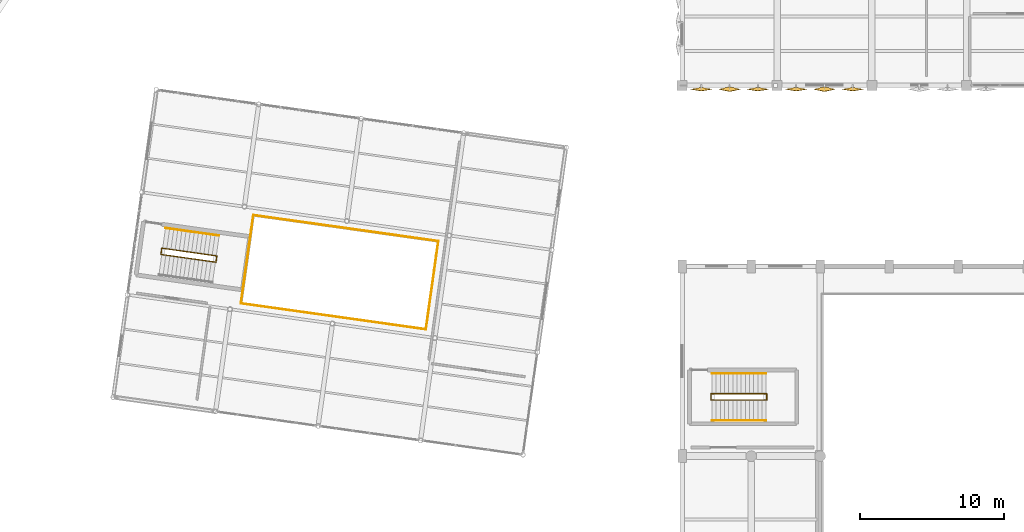
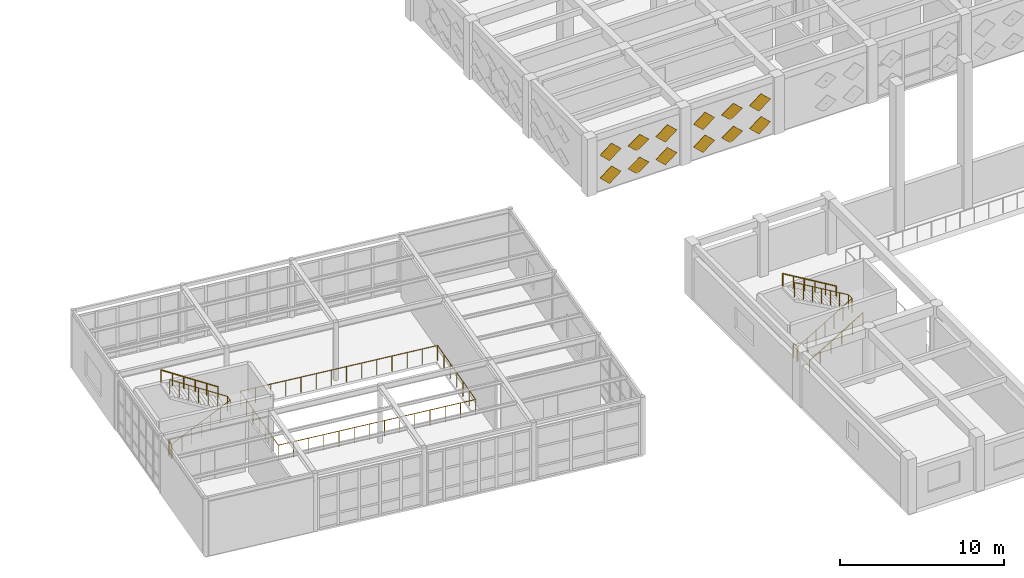
# One storey, part 78 of 80: 12 coverings, 9 railings.
"""IFC4 building model written with IfcOpenShell, lengths in metres."""

from ifc_helpers import new_model, si_unit, direction, frame, origin, origin_2d, place, context, subcontext, project, spatial, polyline, circle, outline, extrude, material, type_object, element, save


model = new_model("IFC4")

# Units and contexts
model_context = context("Model", 3, precision=1e-05, world=origin(), true_north=direction((0.0, 1.0)))
body_context = subcontext(model_context, "Body", "Model", "MODEL_VIEW")
ifc_project = project(units=[si_unit("LENGTHUNIT", "METRE"), si_unit("AREAUNIT", "SQUARE_METRE"), si_unit("VOLUMEUNIT", "CUBIC_METRE"), si_unit("PLANEANGLEUNIT", "RADIAN"), si_unit("MASSUNIT", "GRAM", prefix="KILO")], contexts=[model_context])

# Site, building, storey
site_placement = place(None, origin())
site = spatial("IfcSite", under=ifc_project, at=site_placement, CompositionType="ELEMENT")
building_placement = place(site_placement, origin())
building = spatial("IfcBuilding", under=site, at=building_placement, Name="Kharisveld Research Institute", CompositionType="ELEMENT")
storey_placement = place(building_placement, frame((0.0, 0.0, 5.10009765625)))
storey = spatial("IfcBuildingStorey", under=building, at=storey_placement, Name="L01", CompositionType="ELEMENT", Elevation=5.10009765625)

# Railings
ifc_material_1 = material(Name="Laminated Glass and Stainless Steel", Category="steel")
railing_type_1 = type_object("IfcRailingType", Name="RL_BAL_ATR", PredefinedType="BALUSTRADE", material=ifc_material_1)
railing_1_placement = place(storey_placement, frame((83.894775390625, 24.025634765625, 0.0)))
element("IfcRailing", 1, at=railing_1_placement, inside=storey, type_object=railing_type_1, Name="RLG:V4:L01:ATRIUM_A", PredefinedType="BALUSTRADE", context=body_context, shape_type="SweptSolid", body=[
    extrude(circle(Radius=0.02392578125, at=origin_2d()), frame((0.0, 0.0, 1.1259765625), z_axis=(0.990267339401, -0.139178290391, 0.0), x_axis=(0.139178290391, 0.990267339401, 0.0)), (0.0, 0.0, 1.0), 13.0),
    extrude(circle(Radius=0.02392578125, at=origin_2d()), frame((12.87353515625, -1.809326171875, 1.1259765625), z_axis=(0.139160708979, 0.990269810242, 0.0), x_axis=(-0.990269810242, 0.139160708979, 0.0)), (0.0, 0.0, 1.0), 6.199951171875),
    extrude(circle(Radius=0.02099609375, at=origin_2d()), origin(), (0.0, 0.0, 1.0), 1.101806640625),
    extrude(circle(Radius=0.02099609375, at=origin_2d()), frame((0.990234375, -0.13916015625, 0.0)), (0.0, 0.0, 1.0), 1.101806640625),
    extrude(circle(Radius=0.02099609375, at=origin_2d()), frame((1.98046875, -0.2783203125, 0.0)), (0.0, 0.0, 1.0), 1.101806640625),
    extrude(circle(Radius=0.02099609375, at=origin_2d()), frame((2.970703125, -0.41748046875, 0.0)), (0.0, 0.0, 1.0), 1.101806640625),
    extrude(circle(Radius=0.02099609375, at=origin_2d()), frame((3.961181640625, -0.556640625, 0.0)), (0.0, 0.0, 1.0), 1.101806640625),
    extrude(circle(Radius=0.02099609375, at=origin_2d()), frame((4.951416015625, -0.69580078125, 0.0)), (0.0, 0.0, 1.0), 1.101806640625),
    extrude(circle(Radius=0.02099609375, at=origin_2d()), frame((5.941650390625, -0.8349609375, 0.0)), (0.0, 0.0, 1.0), 1.101806640625),
    extrude(circle(Radius=0.02099609375, at=origin_2d()), frame((6.931884765625, -0.974365234375, 0.0)), (0.0, 0.0, 1.0), 1.101806640625),
    extrude(circle(Radius=0.02099609375, at=origin_2d()), frame((7.922119140625, -1.113525390625, 0.0)), (0.0, 0.0, 1.0), 1.101806640625),
    extrude(circle(Radius=0.02099609375, at=origin_2d()), frame((8.912353515625, -1.252685546875, 0.0)), (0.0, 0.0, 1.0), 1.101806640625),
    extrude(circle(Radius=0.02099609375, at=origin_2d()), frame((9.90283203125, -1.391845703125, 0.0)), (0.0, 0.0, 1.0), 1.101806640625),
    extrude(circle(Radius=0.02099609375, at=origin_2d()), frame((10.89306640625, -1.531005859375, 0.0)), (0.0, 0.0, 1.0), 1.101806640625),
    extrude(circle(Radius=0.02099609375, at=origin_2d()), frame((11.88330078125, -1.670166015625, 0.0)), (0.0, 0.0, 1.0), 1.101806640625),
    extrude(circle(Radius=0.02099609375, at=origin_2d()), frame((12.87353515625, -1.809326171875, 0.0)), (0.0, 0.0, 1.0), 1.101806640625),
    extrude(circle(Radius=0.02099609375, at=origin_2d()), frame((13.017333984375, -0.7861328125, 0.0)), (0.0, 0.0, 1.0), 1.101806640625),
    extrude(circle(Radius=0.02099609375, at=origin_2d()), frame((13.1611328125, 0.2373046875, 0.0)), (0.0, 0.0, 1.0), 1.101806640625),
    extrude(circle(Radius=0.02099609375, at=origin_2d()), frame((13.304931640625, 1.260498046875, 0.0)), (0.0, 0.0, 1.0), 1.101806640625),
    extrude(circle(Radius=0.02099609375, at=origin_2d()), frame((13.44873046875, 2.28369140625, 0.0)), (0.0, 0.0, 1.0), 1.101806640625),
    extrude(circle(Radius=0.02099609375, at=origin_2d()), frame((13.592529296875, 3.30712890625, 0.0)), (0.0, 0.0, 1.0), 1.101806640625),
    extrude(circle(Radius=0.02099609375, at=origin_2d()), frame((13.736328125, 4.330322265625, 0.0)), (0.0, 0.0, 1.0), 1.101806640625),
])
railing_2_placement = place(storey_placement, frame((97.631103515625, 28.35595703125, 0.0)))
element("IfcRailing", 2, at=railing_2_placement, inside=storey, type_object=railing_type_1, Name="RLG:V4:L01:ATRIUM_B", PredefinedType="BALUSTRADE", context=body_context, shape_type="SweptSolid", body=[
    extrude(circle(Radius=0.02392578125, at=origin_2d()), frame((0.0, 0.0, 1.1259765625), z_axis=(-0.990267339401, 0.139178290391, 0.0), x_axis=(-0.139178290391, -0.990267339401, 0.0)), (0.0, 0.0, 1.0), 13.0),
    extrude(circle(Radius=0.02392578125, at=origin_2d()), frame((-12.87353515625, 1.809326171875, 1.1259765625), z_axis=(-0.139160708979, -0.990269810242, 0.0), x_axis=(0.990269810242, -0.139160708979, 0.0)), (0.0, 0.0, 1.0), 6.199951171875),
    extrude(circle(Radius=0.02099609375, at=origin_2d()), origin(), (0.0, 0.0, 1.0), 1.101806640625),
    extrude(circle(Radius=0.02099609375, at=origin_2d()), frame((-0.990234375, 0.13916015625, 0.0)), (0.0, 0.0, 1.0), 1.101806640625),
    extrude(circle(Radius=0.02099609375, at=origin_2d()), frame((-1.98046875, 0.2783203125, 0.0)), (0.0, 0.0, 1.0), 1.101806640625),
    extrude(circle(Radius=0.02099609375, at=origin_2d()), frame((-2.970703125, 0.41748046875, 0.0)), (0.0, 0.0, 1.0), 1.101806640625),
    extrude(circle(Radius=0.02099609375, at=origin_2d()), frame((-3.961181640625, 0.556640625, 0.0)), (0.0, 0.0, 1.0), 1.101806640625),
    extrude(circle(Radius=0.02099609375, at=origin_2d()), frame((-4.951416015625, 0.69580078125, 0.0)), (0.0, 0.0, 1.0), 1.101806640625),
    extrude(circle(Radius=0.02099609375, at=origin_2d()), frame((-5.941650390625, 0.8349609375, 0.0)), (0.0, 0.0, 1.0), 1.101806640625),
    extrude(circle(Radius=0.02099609375, at=origin_2d()), frame((-6.931884765625, 0.974365234375, 0.0)), (0.0, 0.0, 1.0), 1.101806640625),
    extrude(circle(Radius=0.02099609375, at=origin_2d()), frame((-7.922119140625, 1.113525390625, 0.0)), (0.0, 0.0, 1.0), 1.101806640625),
    extrude(circle(Radius=0.02099609375, at=origin_2d()), frame((-8.912353515625, 1.252685546875, 0.0)), (0.0, 0.0, 1.0), 1.101806640625),
    extrude(circle(Radius=0.02099609375, at=origin_2d()), frame((-9.90283203125, 1.391845703125, 0.0)), (0.0, 0.0, 1.0), 1.101806640625),
    extrude(circle(Radius=0.02099609375, at=origin_2d()), frame((-10.89306640625, 1.531005859375, 0.0)), (0.0, 0.0, 1.0), 1.101806640625),
    extrude(circle(Radius=0.02099609375, at=origin_2d()), frame((-11.88330078125, 1.670166015625, 0.0)), (0.0, 0.0, 1.0), 1.101806640625),
    extrude(circle(Radius=0.02099609375, at=origin_2d()), frame((-12.87353515625, 1.809326171875, 0.0)), (0.0, 0.0, 1.0), 1.101806640625),
    extrude(circle(Radius=0.02099609375, at=origin_2d()), frame((-13.017333984375, 0.7861328125, 0.0)), (0.0, 0.0, 1.0), 1.101806640625),
    extrude(circle(Radius=0.02099609375, at=origin_2d()), frame((-13.1611328125, -0.2373046875, 0.0)), (0.0, 0.0, 1.0), 1.101806640625),
    extrude(circle(Radius=0.02099609375, at=origin_2d()), frame((-13.304931640625, -1.260498046875, 0.0)), (0.0, 0.0, 1.0), 1.101806640625),
    extrude(circle(Radius=0.02099609375, at=origin_2d()), frame((-13.44873046875, -2.28369140625, 0.0)), (0.0, 0.0, 1.0), 1.101806640625),
    extrude(circle(Radius=0.02099609375, at=origin_2d()), frame((-13.592529296875, -3.30712890625, 0.0)), (0.0, 0.0, 1.0), 1.101806640625),
    extrude(circle(Radius=0.02099609375, at=origin_2d()), frame((-13.736328125, -4.330322265625, 0.0)), (0.0, 0.0, 1.0), 1.101806640625),
])
ifc_material_2 = material(Name="Steel S355JR", Category="steel")
railing_type_2 = type_object("IfcRailingType", Name="RL_GRD_STR", PredefinedType="GUARDRAIL", material=ifc_material_2)
railing_3_placement = place(storey_placement, frame((78.38427734375, 27.425537109375, 0.0)))
element("IfcRailing", 3, at=railing_3_placement, inside=storey, type_object=railing_type_2, Name="RLG:ST5:L01:GRD_SLOT", PredefinedType="GUARDRAIL", context=body_context, shape_type="SweptSolid", body=[
    extrude(circle(Radius=0.02392578125, at=origin_2d()), frame((0.0, 0.0, 1.09619140625), z_axis=(0.852682851141, -0.119841280748, 0.508497810024), x_axis=(0.139178249874, 0.990267345095, 0.0)), (0.0, 0.0, 1.0), 4.4248046875),
    extrude(circle(Radius=0.02392578125, at=origin_2d()), frame((3.77294921875, -0.5302734375, 3.34619140625), z_axis=(0.139246331265, 0.990257774132, 0.0), x_axis=(-0.990257774132, 0.139246331265, 0.0)), (0.0, 0.0, 1.0), 0.440185546875),
    extrude(circle(Radius=0.02392578125, at=origin_2d()), frame((3.834228515625, -0.094482421875, 3.34619140625), z_axis=(-0.852682851141, 0.119841280748, 0.508497810024), x_axis=(-0.139178249874, -0.990267345095, 0.0)), (0.0, 0.0, 1.0), 4.4248046875),
    extrude(circle(Radius=0.02099609375, at=origin_2d()), origin(), (0.0, 0.0, 1.0), 1.072021484375),
    extrude(circle(Radius=0.02099609375, at=origin_2d()), frame((0.62890625, -0.08837890625, 0.375)), (0.0, 0.0, 1.0), 1.072021484375),
    extrude(circle(Radius=0.02099609375, at=origin_2d()), frame((1.257568359375, -0.1767578125, 0.75)), (0.0, 0.0, 1.0), 1.072021484375),
    extrude(circle(Radius=0.02099609375, at=origin_2d()), frame((1.886474609375, -0.26513671875, 1.125)), (0.0, 0.0, 1.0), 1.072021484375),
    extrude(circle(Radius=0.02099609375, at=origin_2d()), frame((2.515380859375, -0.353515625, 1.5)), (0.0, 0.0, 1.0), 1.072021484375),
    extrude(circle(Radius=0.02099609375, at=origin_2d()), frame((3.14404296875, -0.44189453125, 1.875)), (0.0, 0.0, 1.0), 1.072021484375),
    extrude(circle(Radius=0.02099609375, at=origin_2d()), frame((3.77294921875, -0.5302734375, 2.25)), (0.0, 0.0, 1.0), 1.072021484375),
    extrude(circle(Radius=0.02099609375, at=origin_2d()), frame((3.834228515625, -0.094482421875, 2.25)), (0.0, 0.0, 1.0), 1.072021484375),
    extrude(circle(Radius=0.02099609375, at=origin_2d()), frame((3.205322265625, -0.006103515625, 2.625)), (0.0, 0.0, 1.0), 1.072021484375),
    extrude(circle(Radius=0.02099609375, at=origin_2d()), frame((2.57666015625, 0.082275390625, 3.0)), (0.0, 0.0, 1.0), 1.072021484375),
    extrude(circle(Radius=0.02099609375, at=origin_2d()), frame((1.94775390625, 0.170654296875, 3.375)), (0.0, 0.0, 1.0), 1.072021484375),
    extrude(circle(Radius=0.02099609375, at=origin_2d()), frame((1.31884765625, 0.259033203125, 3.75)), (0.0, 0.0, 1.0), 1.072021484375),
    extrude(circle(Radius=0.02099609375, at=origin_2d()), frame((0.690185546875, 0.347412109375, 4.125)), (0.0, 0.0, 1.0), 1.072021484375),
    extrude(circle(Radius=0.02099609375, at=origin_2d()), frame((0.061279296875, 0.435791015625, 4.5)), (0.0, 0.0, 1.0), 1.072021484375),
])
railing_4_placement = place(storey_placement, frame((78.324951171875, 27.433837890625, 0.0)))
element("IfcRailing", 4, at=railing_4_placement, inside=storey, type_object=railing_type_2, Name="RLG:ST5:L01:GRD_FLRSLOT", PredefinedType="GUARDRAIL", context=body_context, shape_type="SweptSolid", body=[
    extrude(circle(Radius=0.02392578125, at=origin_2d()), frame((0.0, 0.0, 1.09619140625), z_axis=(0.139246331265, 0.990257774132, 0.0), x_axis=(-0.990257774132, 0.139246331265, 0.0)), (0.0, 0.0, 1.0), 0.440185546875),
    extrude(circle(Radius=0.02099609375, at=origin_2d()), origin(), (0.0, 0.0, 1.0), 1.072021484375),
    extrude(circle(Radius=0.02099609375, at=origin_2d()), frame((0.03076171875, 0.2177734375, 0.0)), (0.0, 0.0, 1.0), 1.072021484375),
    extrude(circle(Radius=0.02099609375, at=origin_2d()), frame((0.061279296875, 0.435791015625, 0.0)), (0.0, 0.0, 1.0), 1.072021484375),
])
railing_5_placement = place(storey_placement, frame((116.669921875, 17.300048828125, 0.0)))
element("IfcRailing", 5, at=railing_5_placement, inside=storey, type_object=railing_type_2, Name="RLG:ST6:L01:GRD_SLOT", PredefinedType="GUARDRAIL", context=body_context, shape_type="SweptSolid", body=[
    extrude(circle(Radius=0.02392578125, at=origin_2d()), frame((0.0, 0.0, 1.09619140625), z_axis=(0.861064899193, 0.0, 0.508495073111), x_axis=(0.0, 1.0, 0.0)), (0.0, 0.0, 1.0), 4.4248046875),
    extrude(circle(Radius=0.02392578125, at=origin_2d()), frame((3.81005859375, 0.0, 3.34619140625), z_axis=(0.0, 1.0, 0.0), x_axis=(-1.0, 0.0, 0.0)), (0.0, 0.0, 1.0), 0.43994140625),
    extrude(circle(Radius=0.02392578125, at=origin_2d()), frame((3.81005859375, 0.43994140625, 3.34619140625), z_axis=(-0.861064899193, 0.0, 0.508495073111), x_axis=(0.0, -1.0, 0.0)), (0.0, 0.0, 1.0), 4.4248046875),
    extrude(circle(Radius=0.02099609375, at=origin_2d()), origin(), (0.0, 0.0, 1.0), 1.072021484375),
    extrude(circle(Radius=0.02099609375, at=origin_2d()), frame((0.635009765625, 0.0, 0.375)), (0.0, 0.0, 1.0), 1.072021484375),
    extrude(circle(Radius=0.02099609375, at=origin_2d()), frame((1.27001953125, 0.0, 0.75)), (0.0, 0.0, 1.0), 1.072021484375),
    extrude(circle(Radius=0.02099609375, at=origin_2d()), frame((1.905029296875, 0.0, 1.125)), (0.0, 0.0, 1.0), 1.072021484375),
    extrude(circle(Radius=0.02099609375, at=origin_2d()), frame((2.5400390625, 0.0, 1.5)), (0.0, 0.0, 1.0), 1.072021484375),
    extrude(circle(Radius=0.02099609375, at=origin_2d()), frame((3.175048828125, 0.0, 1.875)), (0.0, 0.0, 1.0), 1.072021484375),
    extrude(circle(Radius=0.02099609375, at=origin_2d()), frame((3.81005859375, 0.0, 2.25)), (0.0, 0.0, 1.0), 1.072021484375),
    extrude(circle(Radius=0.02099609375, at=origin_2d()), frame((3.81005859375, 0.43994140625, 2.25)), (0.0, 0.0, 1.0), 1.072021484375),
    extrude(circle(Radius=0.02099609375, at=origin_2d()), frame((3.175048828125, 0.43994140625, 2.625)), (0.0, 0.0, 1.0), 1.072021484375),
    extrude(circle(Radius=0.02099609375, at=origin_2d()), frame((2.5400390625, 0.43994140625, 3.0)), (0.0, 0.0, 1.0), 1.072021484375),
    extrude(circle(Radius=0.02099609375, at=origin_2d()), frame((1.905029296875, 0.43994140625, 3.375)), (0.0, 0.0, 1.0), 1.072021484375),
    extrude(circle(Radius=0.02099609375, at=origin_2d()), frame((1.27001953125, 0.43994140625, 3.75)), (0.0, 0.0, 1.0), 1.072021484375),
    extrude(circle(Radius=0.02099609375, at=origin_2d()), frame((0.635009765625, 0.43994140625, 4.125)), (0.0, 0.0, 1.0), 1.072021484375),
    extrude(circle(Radius=0.02099609375, at=origin_2d()), frame((0.0, 0.43994140625, 4.5)), (0.0, 0.0, 1.0), 1.072021484375),
])
railing_6_placement = place(storey_placement, frame((116.610107421875, 17.300048828125, 0.0)))
element("IfcRailing", 6, at=railing_6_placement, inside=storey, type_object=railing_type_2, Name="RLG:ST6:L01:GRD_FLRSLOT", PredefinedType="GUARDRAIL", context=body_context, shape_type="SweptSolid", body=[
    extrude(circle(Radius=0.02392578125, at=origin_2d()), frame((0.0, 0.0, 1.09619140625), z_axis=(0.0, 1.0, 0.0), x_axis=(-1.0, 0.0, 0.0)), (0.0, 0.0, 1.0), 0.43994140625),
    extrude(circle(Radius=0.02099609375, at=origin_2d()), origin(), (0.0, 0.0, 1.0), 1.072021484375),
    extrude(circle(Radius=0.02099609375, at=origin_2d()), frame((0.0, 0.43994140625, 0.0)), (0.0, 0.0, 1.0), 1.072021484375),
])
ifc_material_3 = material(Name="Stainless Steel 316", Category="steel")
railing_type_3 = type_object("IfcRailingType", Name="RL_HND_STR", PredefinedType="HANDRAIL", material=ifc_material_3)
railing_7_placement = place(storey_placement, frame((82.37646484375, 28.742919921875, 2.25)))
element("IfcRailing", 7, at=railing_7_placement, inside=storey, type_object=railing_type_3, Name="RLG:ST5:L01:HR2", PredefinedType="HANDRAIL", context=body_context, shape_type="SweptSolid", body=[
    extrude(circle(Radius=0.02392578125, at=origin_2d()), frame((0.0, 0.0, 0.89599609375), z_axis=(-0.850345745613, 0.119499935085, 0.51247622231), x_axis=(-0.139163547283, -0.990269411376, 0.0)), (0.0, 0.0, 1.0), 4.390380859375),
    extrude(circle(Radius=0.02099609375, at=origin_2d()), origin(), (0.0, 0.0, 1.0), 0.871826171875),
    extrude(circle(Radius=0.02099609375, at=origin_2d()), frame((-0.74658203125, 0.10498046875, 0.449951171875)), (0.0, 0.0, 1.0), 0.871826171875),
    extrude(circle(Radius=0.02099609375, at=origin_2d()), frame((-1.493408203125, 0.2099609375, 0.89990234375)), (0.0, 0.0, 1.0), 0.871826171875),
    extrude(circle(Radius=0.02099609375, at=origin_2d()), frame((-2.239990234375, 0.314697265625, 1.35009765625)), (0.0, 0.0, 1.0), 0.871826171875),
    extrude(circle(Radius=0.02099609375, at=origin_2d()), frame((-2.98681640625, 0.419677734375, 1.800048828125)), (0.0, 0.0, 1.0), 0.871826171875),
    extrude(circle(Radius=0.02099609375, at=origin_2d()), frame((-3.7333984375, 0.524658203125, 2.25)), (0.0, 0.0, 1.0), 0.871826171875),
])
railing_8_placement = place(storey_placement, frame((116.669921875, 15.8798828125, 0.0)))
element("IfcRailing", 8, at=railing_8_placement, inside=storey, type_object=railing_type_3, Name="RLG:ST6:L01:HR1", PredefinedType="HANDRAIL", context=body_context, shape_type="SweptSolid", body=[
    extrude(circle(Radius=0.02392578125, at=origin_2d()), frame((0.0, 0.0, 0.89599609375), z_axis=(0.858697585051, 0.0, 0.512482641098), x_axis=(0.0, 1.0, 0.0)), (0.0, 0.0, 1.0), 4.390380859375),
    extrude(circle(Radius=0.02099609375, at=origin_2d()), origin(), (0.0, 0.0, 1.0), 0.871826171875),
    extrude(circle(Radius=0.02099609375, at=origin_2d()), frame((0.75390625, 0.0, 0.449951171875)), (0.0, 0.0, 1.0), 0.871826171875),
    extrude(circle(Radius=0.02099609375, at=origin_2d()), frame((1.508056640625, 0.0, 0.89990234375)), (0.0, 0.0, 1.0), 0.871826171875),
    extrude(circle(Radius=0.02099609375, at=origin_2d()), frame((2.261962890625, 0.0, 1.35009765625)), (0.0, 0.0, 1.0), 0.871826171875),
    extrude(circle(Radius=0.02099609375, at=origin_2d()), frame((3.01611328125, 0.0, 1.800048828125)), (0.0, 0.0, 1.0), 0.871826171875),
    extrude(circle(Radius=0.02099609375, at=origin_2d()), frame((3.77001953125, 0.0, 2.25)), (0.0, 0.0, 1.0), 0.871826171875),
])
railing_9_placement = place(storey_placement, frame((120.43994140625, 19.159912109375, 2.25)))
element("IfcRailing", 9, at=railing_9_placement, inside=storey, type_object=railing_type_3, Name="RLG:ST6:L01:HR2", PredefinedType="HANDRAIL", context=body_context, shape_type="SweptSolid", body=[
    extrude(circle(Radius=0.02392578125, at=origin_2d()), frame((0.0, 0.0, 0.89599609375), z_axis=(-0.858697585051, 0.0, 0.512482641098), x_axis=(0.0, -1.0, 0.0)), (0.0, 0.0, 1.0), 4.390380859375),
    extrude(circle(Radius=0.02099609375, at=origin_2d()), origin(), (0.0, 0.0, 1.0), 0.871826171875),
    extrude(circle(Radius=0.02099609375, at=origin_2d()), frame((-0.75390625, 0.0, 0.449951171875)), (0.0, 0.0, 1.0), 0.871826171875),
    extrude(circle(Radius=0.02099609375, at=origin_2d()), frame((-1.508056640625, 0.0, 0.89990234375)), (0.0, 0.0, 1.0), 0.871826171875),
    extrude(circle(Radius=0.02099609375, at=origin_2d()), frame((-2.261962890625, 0.0, 1.35009765625)), (0.0, 0.0, 1.0), 0.871826171875),
    extrude(circle(Radius=0.02099609375, at=origin_2d()), frame((-3.01611328125, 0.0, 1.800048828125)), (0.0, 0.0, 1.0), 0.871826171875),
    extrude(circle(Radius=0.02099609375, at=origin_2d()), frame((-3.77001953125, 0.0, 2.25)), (0.0, 0.0, 1.0), 0.871826171875),
])

# Coverings
ifc_material_4 = material(Name="White Powder-Coated Perforated Aluminium", Category="aluminium")
covering_type = type_object("IfcCoveringType", Name="CV_DIA_105", PredefinedType="CLADDING")
covering_1_placement = place(storey_placement, frame((126.469970703125, 39.0625, 0.317626953125), z_axis=(0.0, 0.986282612269, 0.165065468031), x_axis=(-0.707138821552, -0.116713622787, 0.697375521014)))
element("IfcCovering", 10, at=covering_1_placement, inside=storey, type_object=covering_type, material=ifc_material_4, Name="SHD:V2:L01:S2:S0C0", PredefinedType="CLADDING", context=body_context, shape_type="SweptSolid", body=[
    extrude(outline(polyline([(0.0, 0.0), (1.049909321899567, 0.0), (1.0499844306250534, 1.0500795907141018), (-9.51489700736774e-05, 1.049909317588087), (0.0, 0.0)])), origin(), (0.0, 0.0, -1.0), 0.02392578125),
])
covering_2_placement = place(storey_placement, frame((126.469970703125, 39.0625, 2.017578125), z_axis=(0.0, 0.986282612269, 0.165065468031), x_axis=(-0.707024158255, -0.116732548384, 0.697488603341)))
element("IfcCovering", 11, at=covering_2_placement, inside=storey, type_object=covering_type, material=ifc_material_4, Name="SHD:V2:L01:S2:S0C1", PredefinedType="CLADDING", context=body_context, shape_type="SweptSolid", body=[
    extrude(outline(polyline([(0.0, 0.0), (1.0500795934002414, -1.1102230246251565e-16), (1.0501546899467695, 1.0499093192138629), (0.0002453818500782745, 1.0500795647299133), (0.0, 0.0)])), origin(), (0.0, 0.0, -1.0), 0.02392578125),
])
for number, where, z_axis, x_axis, name in (
    (12, (124.5, 39.1005859375, 0.324951171875), (0.0, 0.97631069788, 0.216373337556), (-0.707102116981, -0.153000063457, 0.6903604687), "SHD:V2:L01:S2:S1C0"),
    (13, (124.5, 39.1005859375, 2.025146484375), (0.0, 0.97631069788, 0.216373337556), (-0.707102116981, -0.153000063457, 0.6903604687), "SHD:V2:L01:S2:S1C1"),
):
    element("IfcCovering", number, at=place(storey_placement, frame(where, z_axis=z_axis, x_axis=x_axis)), inside=storey, type_object=covering_type, material=ifc_material_4, Name=name, PredefinedType="CLADDING", context=body_context, shape_type="SweptSolid", body=[
        extrude(outline(polyline([(0.0, 0.0), (1.0499638210603182, 0.0), (1.0499776725217052, 1.0499638209689517), (1.3851461386993336e-05, 1.0499638209689517), (0.0, 0.0)])), origin(), (0.0, 0.0, -1.0), 0.02392578125),
    ])
covering_3_placement = place(storey_placement, frame((122.530029296875, 39.0625, 0.317626953125), z_axis=(0.0, 0.986282612269, 0.165065468031), x_axis=(-0.707138821552, -0.116713622787, 0.697375521014)))
element("IfcCovering", 14, at=covering_3_placement, inside=storey, type_object=covering_type, material=ifc_material_4, Name="SHD:V2:L01:S2:S2C0", PredefinedType="CLADDING", context=body_context, shape_type="SweptSolid", body=[
    extrude(outline(polyline([(0.0, 0.0), (1.049909321899567, 0.0), (1.0499844306250534, 1.0500795907141018), (-9.51489700736774e-05, 1.049909317588087), (0.0, 0.0)])), origin(), (0.0, 0.0, -1.0), 0.02392578125),
])
covering_4_placement = place(storey_placement, frame((122.530029296875, 39.0625, 2.017578125), z_axis=(0.0, 0.986282612269, 0.165065468031), x_axis=(-0.707024158255, -0.116732548384, 0.697488603341)))
element("IfcCovering", 15, at=covering_4_placement, inside=storey, type_object=covering_type, material=ifc_material_4, Name="SHD:V2:L01:S2:S2C1", PredefinedType="CLADDING", context=body_context, shape_type="SweptSolid", body=[
    extrude(outline(polyline([(0.0, 0.0), (1.0500795934002414, -1.1102230246251565e-16), (1.0501546899467695, 1.0499093192138629), (0.0002453818500782745, 1.0500795647299133), (0.0, 0.0)])), origin(), (0.0, 0.0, -1.0), 0.02392578125),
])
covering_5_placement = place(storey_placement, frame((119.8701171875, 39.0625, 0.317626953125), z_axis=(0.0, 0.986282612269, 0.165065468031), x_axis=(-0.707255049827, -0.116694432619, 0.69726085785)))
element("IfcCovering", 16, at=covering_5_placement, inside=storey, type_object=covering_type, material=ifc_material_4, Name="SHD:V2:L01:S1:S0C0", PredefinedType="CLADDING", context=body_context, shape_type="SweptSolid", body=[
    extrude(outline(polyline([(0.0, 0.0), (1.0500819774026109, 1.1102230246251565e-16), (1.0498117911607456, 1.050252186157772), (-0.00026774625358971793, 1.0499092877594485), (0.0, 0.0)])), origin(), (0.0, 0.0, -1.0), 0.02392578125),
])
covering_6_placement = place(storey_placement, frame((119.8701171875, 39.0625, 2.017578125), z_axis=(0.0, 0.986282612269, 0.165065468031), x_axis=(-0.707140405383, -0.116713361327, 0.697373958764)))
element("IfcCovering", 17, at=covering_6_placement, inside=storey, type_object=covering_type, material=ifc_material_4, Name="SHD:V2:L01:S1:S0C1", PredefinedType="CLADDING", context=body_context, shape_type="SweptSolid", body=[
    extrude(outline(polyline([(0.0, 0.0), (1.0502522209116176, -1.1102230246251565e-16), (1.049982078466331, 1.0500819426543992), (7.275656939786934e-05, 1.0500795908797094), (0.0, 0.0)])), origin(), (0.0, 0.0, -1.0), 0.02392578125),
])
for number, where, z_axis, x_axis, name in (
    (18, (117.89990234375, 39.1005859375, 0.324951171875), (0.0, 0.97631069788, 0.216373337556), (-0.707102116981, -0.153000063457, 0.6903604687), "SHD:V2:L01:S1:S1C0"),
    (19, (117.89990234375, 39.1005859375, 2.025146484375), (0.0, 0.97631069788, 0.216373337556), (-0.707102116981, -0.153000063457, 0.6903604687), "SHD:V2:L01:S1:S1C1"),
):
    element("IfcCovering", number, at=place(storey_placement, frame(where, z_axis=z_axis, x_axis=x_axis)), inside=storey, type_object=covering_type, material=ifc_material_4, Name=name, PredefinedType="CLADDING", context=body_context, shape_type="SweptSolid", body=[
        extrude(outline(polyline([(0.0, 0.0), (1.0499638210603182, 0.0), (1.0499776725217052, 1.0499638209689517), (-0.00015878089139154117, 1.050136455599167), (0.0, 0.0)])), origin(), (0.0, 0.0, -1.0), 0.02392578125),
    ])
covering_7_placement = place(storey_placement, frame((115.929931640625, 39.0625, 0.317626953125), z_axis=(0.0, 0.986282612269, 0.165065468031), x_axis=(-0.707138821552, -0.116713622787, 0.697375521014)))
element("IfcCovering", 20, at=covering_7_placement, inside=storey, type_object=covering_type, material=ifc_material_4, Name="SHD:V2:L01:S1:S2C0", PredefinedType="CLADDING", context=body_context, shape_type="SweptSolid", body=[
    extrude(outline(polyline([(0.0, 0.0), (1.049909321899567, 0.0), (1.0499844306250534, 1.0500795907141018), (-9.51489700736774e-05, 1.049909317588087), (0.0, 0.0)])), origin(), (0.0, 0.0, -1.0), 0.02392578125),
])
covering_8_placement = place(storey_placement, frame((115.929931640625, 39.0625, 2.017578125), z_axis=(0.0, 0.986282612269, 0.165065468031), x_axis=(-0.707024158255, -0.116732548384, 0.697488603341)))
element("IfcCovering", 21, at=covering_8_placement, inside=storey, type_object=covering_type, material=ifc_material_4, Name="SHD:V2:L01:S1:S2C1", PredefinedType="CLADDING", context=body_context, shape_type="SweptSolid", body=[
    extrude(outline(polyline([(0.0, 0.0), (1.0500795934002414, -1.1102230246251565e-16), (1.0501546899467695, 1.0499093192138629), (0.0002453818500782745, 1.0500795647299133), (0.0, 0.0)])), origin(), (0.0, 0.0, -1.0), 0.02392578125),
])

save(model, "model.ifc")
